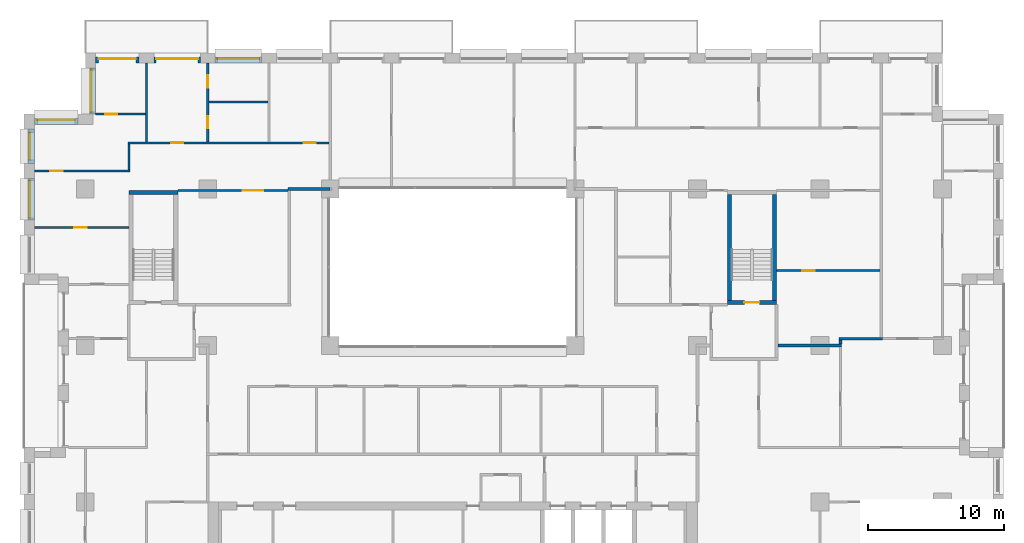
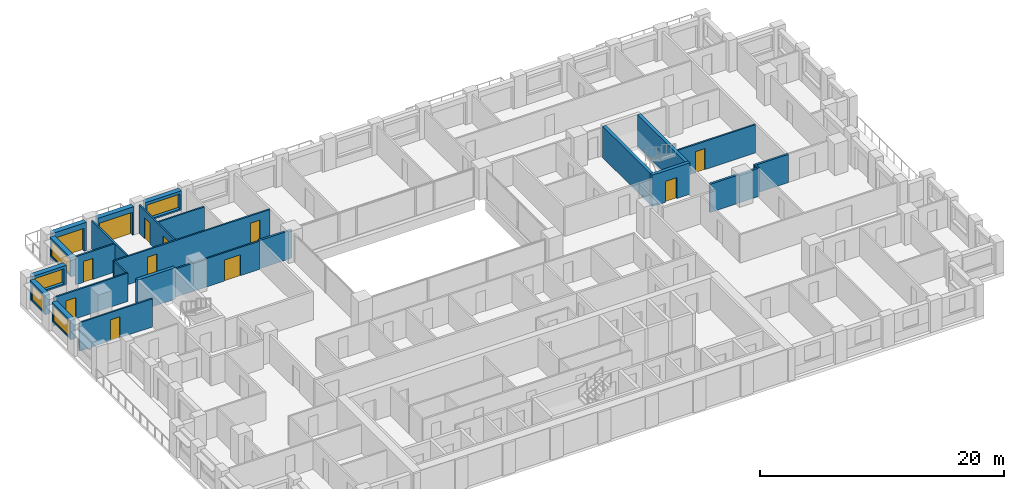
# One storey, part 12 of 17: 25 walls, 12 doors, 5 windows, 17 openings.
"""IFC4 building model written with IfcOpenShell, lengths in metres."""

from ifc_helpers import new_model, si_unit, direction, frame, frame_2d, origin, place, context, subcontext, project, spatial, rectangle, extrude, material, layer, layer_set, type_object, element, fill, save


model = new_model("IFC4")

# Units and contexts
model_context = context("Model", 3, precision=1e-05, world=origin(), true_north=direction((0.0, 1.0)))
body_context = subcontext(model_context, "Body", "Model", "MODEL_VIEW")
ifc_project = project(units=[si_unit("LENGTHUNIT", "METRE"), si_unit("AREAUNIT", "SQUARE_METRE"), si_unit("VOLUMEUNIT", "CUBIC_METRE"), si_unit("PLANEANGLEUNIT", "RADIAN"), si_unit("MASSUNIT", "GRAM", prefix="KILO")], contexts=[model_context])

# Site, building, storey
site_placement = place(None, origin())
site = spatial("IfcSite", under=ifc_project, at=site_placement, CompositionType="ELEMENT")
building_placement = place(site_placement, origin())
building = spatial("IfcBuilding", under=site, at=building_placement, Name="Brigalow Station Residences", CompositionType="ELEMENT")
storey_placement = place(building_placement, frame((0.0, 0.0, 96.14990234375)))
storey = spatial("IfcBuildingStorey", under=building, at=storey_placement, Name="L27", CompositionType="ELEMENT", Elevation=96.14990234375)

# Wall, opening, window
ifc_material_1 = material(Name="Clay brick masonry", Category="masonry")
ifc_layer_1 = layer(ifc_material_1, 0.449951171875)
ifc_layer_set_1 = layer_set([ifc_layer_1], Name="BRICK INFILL WALL 450")
wall_type_1 = type_object("IfcWallType", Name="BRICK INFILL WALL 450", PredefinedType="SOLIDWALL", material=ifc_layer_set_1)
wall_1_placement = place(storey_placement, frame((21.949951171875, 44.97509765625, 0.900146484375), z_axis=(0.0, 0.0, 1.0), x_axis=(-1.0, 0.0, 0.0)))
wall_1 = element("IfcWall", 1, at=wall_1_placement, inside=storey, type_object=wall_type_1, Name="L27/ewall/W-L27-34", PredefinedType="SOLIDWALL", context=body_context, shape_type="SweptSolid", body=[
    extrude(rectangle(XDim=3.39990234375, YDim=0.449951171875, at=frame_2d((1.699951171875, 0.0))), origin(), (0.0, 0.0, 1.0), 1.929931640625),
])
opening_1_placement = place(wall_1_placement, frame((0.14990234375, 0.0, 0.14990234375)))
opening_1 = element("IfcOpeningElement", 2, at=opening_1_placement, cuts=wall_1, Name="Opening WT-8", PredefinedType="OPENING", context=body_context, shape_type="SweptSolid", body=[
    extrude(rectangle(XDim=3.10009765625, YDim=1.5, at=frame_2d((1.550048828125, 0.75))), frame((0.0, 0.23486328125, 0.0), z_axis=(0.0, -1.0, 0.0), x_axis=(1.0, 0.0, 0.0)), (0.0, 0.0, 1.0), 0.469970703125),
])
ifc_material_2 = material(Name="Anodised aluminium frame with double glazing", Category="aluminium")
window_type_1 = type_object("IfcWindowType", Name="WINDOW 3100x1500", PartitioningType="SINGLE_PANEL", PredefinedType="WINDOW", material=ifc_material_2)
window_1_placement = place(opening_1_placement, origin())
window_1 = element("IfcWindow", 3, at=window_1_placement, inside=storey, type_object=window_type_1, Name="L27/window/W-L27-34", OverallHeight=1.5, OverallWidth=3.10009765625, PartitioningType="SINGLE_PANEL", PredefinedType="WINDOW", context=body_context, shape_type="SweptSolid", body=[
    extrude(rectangle(XDim=3.10009765625, YDim=1.5, at=frame_2d((1.550048828125, 0.75))), frame((0.0, -0.06494140625, 0.0), z_axis=(0.0, -1.0, 0.0), x_axis=(1.0, 0.0, 0.0)), (0.0, 0.0, 1.0), 0.06005859375),
])
fill(opening_1, window_1)

# Wall, opening, door
wall_2_placement = place(storey_placement, frame((17.449951171875, 44.97509765625, 0.0), z_axis=(0.0, 0.0, 1.0), x_axis=(-1.0, 0.0, 0.0)))
wall_2 = element("IfcWall", 4, at=wall_2_placement, inside=storey, type_object=wall_type_1, Name="L27/ewall/W-L27-35", PredefinedType="SOLIDWALL", context=body_context, shape_type="SweptSolid", body=[
    extrude(rectangle(XDim=3.39990234375, YDim=0.449951171875, at=frame_2d((1.699951171875, 0.0))), origin(), (0.0, 0.0, 1.0), 2.830078125),
])
opening_2_placement = place(wall_2_placement, frame((0.14990234375, 0.0, 0.0)))
opening_2 = element("IfcOpeningElement", 5, at=opening_2_placement, cuts=wall_2, Name="Opening D-B3100", PredefinedType="OPENING", context=body_context, shape_type="SweptSolid", body=[
    extrude(rectangle(XDim=3.10009765625, YDim=2.300048828125, at=frame_2d((1.550048828125, 1.14990234375))), frame((0.0, 0.23486328125, 0.0), z_axis=(0.0, -1.0, 0.0), x_axis=(1.0, 0.0, 0.0)), (0.0, 0.0, 1.0), 0.469970703125),
])
ifc_material_3 = material(Name="Anodised aluminium frame with double glazing", Category="aluminium")
door_type_1 = type_object("IfcDoorType", Name="BALCONY SLIDING DOOR 3100x2300", OperationType="SLIDING_TO_LEFT", PredefinedType="DOOR", material=ifc_material_3)
door_1_placement = place(opening_2_placement, origin())
door_1 = element("IfcDoor", 6, at=door_1_placement, inside=storey, type_object=door_type_1, Name="L27/balcony-door/W-L27-35", OperationType="SLIDING_TO_LEFT", OverallHeight=2.300048828125, OverallWidth=3.10009765625, PredefinedType="DOOR", context=body_context, shape_type="SweptSolid", body=[
    extrude(rectangle(XDim=3.10009765625, YDim=2.300048828125, at=frame_2d((1.550048828125, 1.14990234375))), frame((0.0, -0.06982421875, 0.0), z_axis=(0.0, -1.0, 0.0), x_axis=(1.0, 0.0, 0.0)), (0.0, 0.0, 1.0), 0.050048828125),
])
fill(opening_2, door_1)

wall_3_placement = place(storey_placement, frame((12.949951171875, 44.97509765625, 0.0), z_axis=(0.0, 0.0, 1.0), x_axis=(-1.0, 0.0, 0.0)))
wall_3 = element("IfcWall", 7, at=wall_3_placement, inside=storey, type_object=wall_type_1, Name="L27/ewall/W-L27-36", PredefinedType="SOLIDWALL", context=body_context, shape_type="SweptSolid", body=[
    extrude(rectangle(XDim=3.199951171875, YDim=0.449951171875, at=frame_2d((1.60009765625, 0.0))), origin(), (0.0, 0.0, 1.0), 2.830078125),
])
opening_3_placement = place(wall_3_placement, frame((0.22509765625, 0.0, 0.0)))
opening_3 = element("IfcOpeningElement", 8, at=opening_3_placement, cuts=wall_3, Name="Opening D-B2750", PredefinedType="OPENING", context=body_context, shape_type="SweptSolid", body=[
    extrude(rectangle(XDim=2.75, YDim=2.300048828125, at=frame_2d((1.375, 1.14990234375))), frame((0.0, 0.23486328125, 0.0), z_axis=(0.0, -1.0, 0.0), x_axis=(1.0, 0.0, 0.0)), (0.0, 0.0, 1.0), 0.469970703125),
])
ifc_material_4 = material(Name="Anodised aluminium frame with double glazing", Category="aluminium")
door_type_2 = type_object("IfcDoorType", Name="BALCONY SLIDING DOOR 2750x2300", OperationType="SLIDING_TO_LEFT", PredefinedType="DOOR", material=ifc_material_4)
door_2_placement = place(opening_3_placement, origin())
door_2 = element("IfcDoor", 9, at=door_2_placement, inside=storey, type_object=door_type_2, Name="L27/balcony-door/W-L27-36", OperationType="SLIDING_TO_LEFT", OverallHeight=2.300048828125, OverallWidth=2.75, PredefinedType="DOOR", context=body_context, shape_type="SweptSolid", body=[
    extrude(rectangle(XDim=2.75, YDim=2.300048828125, at=frame_2d((1.375, 1.14990234375))), frame((0.0, -0.06982421875, 0.0), z_axis=(0.0, -1.0, 0.0), x_axis=(1.0, 0.0, 0.0)), (0.0, 0.0, 1.0), 0.050048828125),
])
fill(opening_3, door_2)

# Wall, opening, window
wall_4_placement = place(storey_placement, frame((9.52490234375, 44.39990234375, 0.900146484375), z_axis=(0.0, 0.0, 1.0), x_axis=(0.0, -1.0, 0.0)))
wall_4 = element("IfcWall", 10, at=wall_4_placement, inside=storey, type_object=wall_type_1, Name="L27/ewall/W-L27-37", PredefinedType="SOLIDWALL", context=body_context, shape_type="SweptSolid", body=[
    extrude(rectangle(XDim=3.39990234375, YDim=0.449951171875, at=frame_2d((1.699951171875, 0.0))), origin(), (0.0, 0.0, 1.0), 1.929931640625),
])
opening_4_placement = place(wall_4_placement, frame((0.14990234375, 0.0, 0.14990234375)))
opening_4 = element("IfcOpeningElement", 11, at=opening_4_placement, cuts=wall_4, Name="Opening WT-8", PredefinedType="OPENING", context=body_context, shape_type="SweptSolid", body=[
    extrude(rectangle(XDim=3.10009765625, YDim=1.5, at=frame_2d((1.550048828125, 0.75))), frame((0.0, 0.23486328125, 0.0), z_axis=(0.0, -1.0, 0.0), x_axis=(1.0, 0.0, 0.0)), (0.0, 0.0, 1.0), 0.469970703125),
])
window_2_placement = place(opening_4_placement, origin())
window_2 = element("IfcWindow", 12, at=window_2_placement, inside=storey, type_object=window_type_1, Name="L27/window/W-L27-37", OverallHeight=1.5, OverallWidth=3.10009765625, PartitioningType="SINGLE_PANEL", PredefinedType="WINDOW", context=body_context, shape_type="SweptSolid", body=[
    extrude(rectangle(XDim=3.10009765625, YDim=1.5, at=frame_2d((1.550048828125, 0.75))), frame((0.0, -0.06494140625, 0.0), z_axis=(0.0, -1.0, 0.0), x_axis=(1.0, 0.0, 0.0)), (0.0, 0.0, 1.0), 0.06005859375),
])
fill(opening_4, window_2)

wall_5_placement = place(storey_placement, frame((8.449951171875, 40.47509765625, 0.900146484375), z_axis=(0.0, 0.0, 1.0), x_axis=(-1.0, 0.0, 0.0)))
wall_5 = element("IfcWall", 13, at=wall_5_placement, inside=storey, type_object=wall_type_1, Name="L27/ewall/W-L27-38", PredefinedType="SOLIDWALL", context=body_context, shape_type="SweptSolid", body=[
    extrude(rectangle(XDim=3.199951171875, YDim=0.449951171875, at=frame_2d((1.60009765625, 0.0))), origin(), (0.0, 0.0, 1.0), 1.929931640625),
])
opening_5_placement = place(wall_5_placement, frame((0.22509765625, 0.0, 0.14990234375)))
opening_5 = element("IfcOpeningElement", 14, at=opening_5_placement, cuts=wall_5, Name="Opening WT-3", PredefinedType="OPENING", context=body_context, shape_type="SweptSolid", body=[
    extrude(rectangle(XDim=2.75, YDim=1.5, at=frame_2d((1.375, 0.75))), frame((0.0, 0.23486328125, 0.0), z_axis=(0.0, -1.0, 0.0), x_axis=(1.0, 0.0, 0.0)), (0.0, 0.0, 1.0), 0.469970703125),
])
ifc_material_5 = material(Name="Anodised aluminium frame with double glazing", Category="aluminium")
window_type_2 = type_object("IfcWindowType", Name="WINDOW 2750x1500", PartitioningType="SINGLE_PANEL", PredefinedType="WINDOW", material=ifc_material_5)
window_3_placement = place(opening_5_placement, origin())
window_3 = element("IfcWindow", 15, at=window_3_placement, inside=storey, type_object=window_type_2, Name="L27/window/W-L27-38", OverallHeight=1.5, OverallWidth=2.75, PartitioningType="SINGLE_PANEL", PredefinedType="WINDOW", context=body_context, shape_type="SweptSolid", body=[
    extrude(rectangle(XDim=2.75, YDim=1.5, at=frame_2d((1.375, 0.75))), frame((0.0, -0.06494140625, 0.0), z_axis=(0.0, -1.0, 0.0), x_axis=(1.0, 0.0, 0.0)), (0.0, 0.0, 1.0), 0.06005859375),
])
fill(opening_5, window_3)

wall_6_placement = place(storey_placement, frame((5.02490234375, 39.89990234375, 0.900146484375), z_axis=(0.0, 0.0, 1.0), x_axis=(0.0, -1.0, 0.0)))
wall_6 = element("IfcWall", 16, at=wall_6_placement, inside=storey, type_object=wall_type_1, Name="L27/ewall/W-L27-39", PredefinedType="SOLIDWALL", context=body_context, shape_type="SweptSolid", body=[
    extrude(rectangle(XDim=2.516845703125, YDim=0.449951171875, at=frame_2d((1.25830078125, 0.0))), origin(), (0.0, 0.0, 1.0), 1.929931640625),
])
opening_6_placement = place(wall_6_placement, frame((0.258544921875, 0.0, 0.14990234375)))
opening_6 = element("IfcOpeningElement", 17, at=opening_6_placement, cuts=wall_6, Name="Opening WT-7", PredefinedType="OPENING", context=body_context, shape_type="SweptSolid", body=[
    extrude(rectangle(XDim=2.0, YDim=1.5, at=frame_2d((1.0, 0.75))), frame((0.0, 0.23486328125, 0.0), z_axis=(0.0, -1.0, 0.0), x_axis=(1.0, 0.0, 0.0)), (0.0, 0.0, 1.0), 0.469970703125),
])
ifc_material_6 = material(Name="Anodised aluminium frame with double glazing", Category="aluminium")
window_type_3 = type_object("IfcWindowType", Name="WINDOW 2000x1500", PartitioningType="SINGLE_PANEL", PredefinedType="WINDOW", material=ifc_material_6)
window_4_placement = place(opening_6_placement, origin())
window_4 = element("IfcWindow", 18, at=window_4_placement, inside=storey, type_object=window_type_3, Name="L27/window/W-L27-39", OverallHeight=1.5, OverallWidth=2.0, PartitioningType="SINGLE_PANEL", PredefinedType="WINDOW", context=body_context, shape_type="SweptSolid", body=[
    extrude(rectangle(XDim=2.0, YDim=1.5, at=frame_2d((1.0, 0.75))), frame((0.0, -0.06494140625, 0.0), z_axis=(0.0, -1.0, 0.0), x_axis=(1.0, 0.0, 0.0)), (0.0, 0.0, 1.0), 0.06005859375),
])
fill(opening_6, window_4)

wall_7_placement = place(storey_placement, frame((5.02490234375, 36.282958984375, 0.900146484375), z_axis=(0.0, 0.0, 1.0), x_axis=(0.0, -1.0, 0.0)))
wall_7 = element("IfcWall", 19, at=wall_7_placement, inside=storey, type_object=wall_type_1, Name="L27/ewall/W-L27-40", PredefinedType="SOLIDWALL", context=body_context, shape_type="SweptSolid", body=[
    extrude(rectangle(XDim=3.06591796875, YDim=0.449951171875, at=frame_2d((1.532958984375, 0.0))), origin(), (0.0, 0.0, 1.0), 1.929931640625),
])
opening_7_placement = place(wall_7_placement, frame((0.157958984375, 0.0, 0.14990234375)))
opening_7 = element("IfcOpeningElement", 20, at=opening_7_placement, cuts=wall_7, Name="Opening WT-3", PredefinedType="OPENING", context=body_context, shape_type="SweptSolid", body=[
    extrude(rectangle(XDim=2.75, YDim=1.5, at=frame_2d((1.375, 0.75))), frame((0.0, 0.23486328125, 0.0), z_axis=(0.0, -1.0, 0.0), x_axis=(1.0, 0.0, 0.0)), (0.0, 0.0, 1.0), 0.469970703125),
])
window_5_placement = place(opening_7_placement, origin())
window_5 = element("IfcWindow", 21, at=window_5_placement, inside=storey, type_object=window_type_2, Name="L27/window/W-L27-40", OverallHeight=1.5, OverallWidth=2.75, PartitioningType="SINGLE_PANEL", PredefinedType="WINDOW", context=body_context, shape_type="SweptSolid", body=[
    extrude(rectangle(XDim=2.75, YDim=1.5, at=frame_2d((1.375, 0.75))), frame((0.0, -0.06494140625, 0.0), z_axis=(0.0, -1.0, 0.0), x_axis=(1.0, 0.0, 0.0)), (0.0, 0.0, 1.0), 0.06005859375),
])
fill(opening_7, window_5)

# Wall
ifc_material_7 = material(Name="Concrete C65", Category="concrete")
ifc_layer_2 = layer(ifc_material_7, 0.300048828125)
ifc_layer_set_2 = layer_set([ifc_layer_2], Name="CORE SHEAR WALL 300 C65")
wall_type_2 = type_object("IfcWallType", Name="CORE SHEAR WALL 300 C65", PredefinedType="SHEAR", material=ifc_layer_set_2)
wall_8_placement = place(storey_placement, frame((12.199951171875, 35.25, 0.0), z_axis=(0.0, 0.0, 1.0), x_axis=(1.0, 0.0, 0.0)))
element("IfcWall", 22, at=wall_8_placement, inside=storey, type_object=wall_type_2, Name="CORE WALL ST-S1-N L27", PredefinedType="SHEAR", context=body_context, shape_type="SweptSolid", body=[
    extrude(rectangle(XDim=3.60009765625, YDim=0.300048828125, at=frame_2d((1.800048828125, 0.0))), origin(), (0.0, 0.0, 1.0), 3.150146484375),
])

# Wall, opening, door
wall_9_placement = place(storey_placement, frame((56.199951171875, 27.14990234375, 0.0), z_axis=(0.0, 0.0, 1.0), x_axis=(1.0, 0.0, 0.0)))
wall_9 = element("IfcWall", 23, at=wall_9_placement, inside=storey, type_object=wall_type_2, Name="CORE WALL ST-S3-S L27", PredefinedType="SHEAR", context=body_context, shape_type="SweptSolid", body=[
    extrude(rectangle(XDim=3.60009765625, YDim=0.300048828125, at=frame_2d((1.800048828125, 0.0))), origin(), (0.0, 0.0, 1.0), 3.150146484375),
])
opening_8_placement = place(wall_9_placement, frame((1.25, 0.0, 0.0)))
opening_8 = element("IfcOpeningElement", 24, at=opening_8_placement, cuts=wall_9, Name="Opening D-5018", PredefinedType="OPENING", context=body_context, shape_type="SweptSolid", body=[
    extrude(rectangle(XDim=1.10009765625, YDim=2.10009765625, at=frame_2d((0.550048828125, 1.050048828125))), frame((0.0, 0.16015625, 0.0), z_axis=(0.0, -1.0, 0.0), x_axis=(1.0, 0.0, 0.0)), (0.0, 0.0, 1.0), 0.320068359375),
])
ifc_material_8 = material(Name="Steel fire door leaf in steel frame", Category="steel")
door_type_3 = type_object("IfcDoorType", Name="STAIR DOOR 1100 x 2100 FD60S", OperationType="SINGLE_SWING_LEFT", PredefinedType="DOOR", material=ifc_material_8)
door_3_placement = place(opening_8_placement, origin())
door_3 = element("IfcDoor", 25, at=door_3_placement, inside=storey, type_object=door_type_3, Name="D-5018", OperationType="SINGLE_SWING_LEFT", OverallHeight=2.10009765625, OverallWidth=1.10009765625, PredefinedType="DOOR", context=body_context, shape_type="SweptSolid", body=[
    extrude(rectangle(XDim=1.10009765625, YDim=2.10009765625, at=frame_2d((0.550048828125, 1.050048828125))), frame((0.0, 0.02490234375, 0.0), z_axis=(0.0, -1.0, 0.0), x_axis=(1.0, 0.0, 0.0)), (0.0, 0.0, 1.0), 0.050048828125),
])
fill(opening_8, door_3)

# Walls
for number, where, z_axis, x_axis, name in (
    (26, (56.35009765625, 27.300048828125, 0.0), (0.0, 0.0, 1.0), (0.0, 1.0, 0.0), "CORE WALL ST-S3-W L27"),
    (27, (59.64990234375, 27.300048828125, 0.0), (0.0, 0.0, 1.0), (0.0, 1.0, 0.0), "CORE WALL ST-S3-E L27"),
):
    element("IfcWall", number, at=place(storey_placement, frame(where, z_axis=z_axis, x_axis=x_axis)), inside=storey, type_object=wall_type_2, Name=name, PredefinedType="SHEAR", context=body_context, shape_type="SweptSolid", body=[
        extrude(rectangle(XDim=7.800048828125, YDim=0.300048828125, at=frame_2d((3.89990234375, 0.0))), origin(), (0.0, 0.0, 1.0), 3.150146484375),
    ])

# Wall, opening, door
ifc_material_9 = material(Name="Plasterboard on steel stud partition", Category="steel")
ifc_layer_3 = layer(ifc_material_9, 0.14990234375)
ifc_layer_set_3 = layer_set([ifc_layer_3], Name="FLAT PARTITION 150")
wall_type_3 = type_object("IfcWallType", Name="FLAT PARTITION 150", PredefinedType="PARTITIONING", material=ifc_layer_set_3)
wall_10_placement = place(storey_placement, frame((5.25, 32.6669921875, 0.0), z_axis=(0.0, 0.0, 1.0), x_axis=(1.0, 0.0, 0.0)))
wall_10 = element("IfcWall", 28, at=wall_10_placement, inside=storey, type_object=wall_type_3, Name="PW-2B23", PredefinedType="PARTITIONING", context=body_context, shape_type="SweptSolid", body=[
    extrude(rectangle(XDim=6.949951171875, YDim=0.14990234375, at=frame_2d((3.47509765625, 0.0))), origin(), (0.0, 0.0, 1.0), 2.830078125),
])
opening_9_placement = place(wall_10_placement, frame((2.949951171875, 0.0, 0.0)))
opening_9 = element("IfcOpeningElement", 29, at=opening_9_placement, cuts=wall_10, Name="Opening D-2B12", PredefinedType="OPENING", context=body_context, shape_type="SweptSolid", body=[
    extrude(rectangle(XDim=0.89990234375, YDim=2.10009765625, at=frame_2d((0.449951171875, 1.050048828125))), frame((0.0, 0.0849609375, 0.0), z_axis=(0.0, -1.0, 0.0), x_axis=(1.0, 0.0, 0.0)), (0.0, 0.0, 1.0), 0.169921875),
])
ifc_material_10 = material(Name="Solid-core timber door leaf", Category="wood")
door_type_4 = type_object("IfcDoorType", Name="INTERNAL DOOR 900 x 2100", OperationType="SINGLE_SWING_LEFT", PredefinedType="DOOR", material=ifc_material_10)
door_4_placement = place(opening_9_placement, frame((0.89990234375, 0.0, 0.0), z_axis=(0.0, 0.0, 1.0), x_axis=(-1.0, 0.0, 0.0)))
door_4 = element("IfcDoor", 30, at=door_4_placement, inside=storey, type_object=door_type_4, Name="D-2B12", OperationType="SINGLE_SWING_RIGHT", OverallHeight=2.10009765625, OverallWidth=0.89990234375, PredefinedType="DOOR", context=body_context, shape_type="SweptSolid", body=[
    extrude(rectangle(XDim=0.89990234375, YDim=2.10009765625, at=frame_2d((0.449951171875, 1.050048828125))), frame((0.0, 0.02490234375, 0.0), z_axis=(0.0, -1.0, 0.0), x_axis=(1.0, 0.0, 0.0)), (0.0, 0.0, 1.0), 0.050048828125),
])
fill(opening_9, door_4)

wall_11_placement = place(storey_placement, frame((5.25, 36.8330078125, 0.0), z_axis=(0.0, 0.0, 1.0), x_axis=(1.0, 0.0, 0.0)))
wall_11 = element("IfcWall", 31, at=wall_11_placement, inside=storey, type_object=wall_type_3, Name="PW-2B24", PredefinedType="PARTITIONING", context=body_context, shape_type="SweptSolid", body=[
    extrude(rectangle(XDim=7.02490234375, YDim=0.14990234375, at=frame_2d((3.512451171875, 0.0))), origin(), (0.0, 0.0, 1.0), 2.830078125),
])
opening_10_placement = place(wall_11_placement, frame((1.175048828125, 0.0, 0.0)))
opening_10 = element("IfcOpeningElement", 32, at=opening_10_placement, cuts=wall_11, Name="Opening D-2B13", PredefinedType="OPENING", context=body_context, shape_type="SweptSolid", body=[
    extrude(rectangle(XDim=0.89990234375, YDim=2.10009765625, at=frame_2d((0.449951171875, 1.050048828125))), frame((0.0, 0.0849609375, 0.0), z_axis=(0.0, -1.0, 0.0), x_axis=(1.0, 0.0, 0.0)), (0.0, 0.0, 1.0), 0.169921875),
])
door_5_placement = place(opening_10_placement, origin())
door_5 = element("IfcDoor", 33, at=door_5_placement, inside=storey, type_object=door_type_4, Name="D-2B13", OperationType="SINGLE_SWING_LEFT", OverallHeight=2.10009765625, OverallWidth=0.89990234375, PredefinedType="DOOR", context=body_context, shape_type="SweptSolid", body=[
    extrude(rectangle(XDim=0.89990234375, YDim=2.10009765625, at=frame_2d((0.449951171875, 1.050048828125))), frame((0.0, 0.02490234375, 0.0), z_axis=(0.0, -1.0, 0.0), x_axis=(1.0, 0.0, 0.0)), (0.0, 0.0, 1.0), 0.050048828125),
])
fill(opening_10, door_5)

# Wall, openings, doors
wall_12_placement = place(storey_placement, frame((12.125, 38.89990234375, 0.0), z_axis=(0.0, 0.0, 1.0), x_axis=(1.0, 0.0, 0.0)))
wall_12 = element("IfcWall", 34, at=wall_12_placement, inside=storey, type_object=wall_type_3, Name="PW-2B26", PredefinedType="PARTITIONING", context=body_context, shape_type="SweptSolid", body=[
    extrude(rectangle(XDim=14.77490234375, YDim=0.14990234375, at=frame_2d((7.387451171875, 0.0))), origin(), (0.0, 0.0, 1.0), 2.830078125),
])
opening_11_placement = place(wall_12_placement, frame((3.175048828125, 0.0, 0.0)))
opening_11 = element("IfcOpeningElement", 35, at=opening_11_placement, cuts=wall_12, Name="Opening D-2B15", PredefinedType="OPENING", context=body_context, shape_type="SweptSolid", body=[
    extrude(rectangle(XDim=0.89990234375, YDim=2.10009765625, at=frame_2d((0.449951171875, 1.050048828125))), frame((0.0, 0.0849609375, 0.0), z_axis=(0.0, -1.0, 0.0), x_axis=(1.0, 0.0, 0.0)), (0.0, 0.0, 1.0), 0.169921875),
])
opening_12_placement = place(wall_12_placement, frame((12.925048828125, 0.0, 0.0)))
opening_12 = element("IfcOpeningElement", 36, at=opening_12_placement, cuts=wall_12, Name="Opening D-2B19", PredefinedType="OPENING", context=body_context, shape_type="SweptSolid", body=[
    extrude(rectangle(XDim=0.89990234375, YDim=2.10009765625, at=frame_2d((0.449951171875, 1.050048828125))), frame((0.0, 0.0849609375, 0.0), z_axis=(0.0, -1.0, 0.0), x_axis=(1.0, 0.0, 0.0)), (0.0, 0.0, 1.0), 0.169921875),
])
door_6_placement = place(opening_11_placement, origin())
door_6 = element("IfcDoor", 37, at=door_6_placement, inside=storey, type_object=door_type_4, Name="D-2B15", OperationType="SINGLE_SWING_RIGHT", OverallHeight=2.10009765625, OverallWidth=0.89990234375, PredefinedType="DOOR", context=body_context, shape_type="SweptSolid", body=[
    extrude(rectangle(XDim=0.89990234375, YDim=2.10009765625, at=frame_2d((0.449951171875, 1.050048828125))), frame((0.0, 0.02490234375, 0.0), z_axis=(0.0, -1.0, 0.0), x_axis=(1.0, 0.0, 0.0)), (0.0, 0.0, 1.0), 0.050048828125),
])
fill(opening_11, door_6)
door_7_placement = place(opening_12_placement, origin())
door_7 = element("IfcDoor", 38, at=door_7_placement, inside=storey, type_object=door_type_4, Name="D-2B19", OperationType="SINGLE_SWING_RIGHT", OverallHeight=2.10009765625, OverallWidth=0.89990234375, PredefinedType="DOOR", context=body_context, shape_type="SweptSolid", body=[
    extrude(rectangle(XDim=0.89990234375, YDim=2.10009765625, at=frame_2d((0.449951171875, 1.050048828125))), frame((0.0, 0.02490234375, 0.0), z_axis=(0.0, -1.0, 0.0), x_axis=(1.0, 0.0, 0.0)), (0.0, 0.0, 1.0), 0.050048828125),
])
fill(opening_12, door_7)

# Wall, opening, door
wall_13_placement = place(storey_placement, frame((15.800048828125, 35.39990234375, 0.0), z_axis=(0.0, 0.0, 1.0), x_axis=(1.0, 0.0, 0.0)))
wall_13 = element("IfcWall", 39, at=wall_13_placement, inside=storey, type_object=wall_type_3, Name="PW-2B27", PredefinedType="PARTITIONING", context=body_context, shape_type="SweptSolid", body=[
    extrude(rectangle(XDim=8.099853515625, YDim=0.14990234375, at=frame_2d((4.0498046875, 0.0))), origin(), (0.0, 0.0, 1.0), 2.830078125),
])
opening_13_placement = place(wall_13_placement, frame((4.77490234375, 0.0, 0.0)))
opening_13 = element("IfcOpeningElement", 40, at=opening_13_placement, cuts=wall_13, Name="Opening D-2B18", PredefinedType="OPENING", context=body_context, shape_type="SweptSolid", body=[
    extrude(rectangle(XDim=1.5, YDim=2.10009765625, at=frame_2d((0.75, 1.050048828125))), frame((0.0, 0.0849609375, 0.0), z_axis=(0.0, -1.0, 0.0), x_axis=(1.0, 0.0, 0.0)), (0.0, 0.0, 1.0), 0.169921875),
])
ifc_material_11 = material(Name="Solid-core timber door leaf", Category="wood")
door_type_5 = type_object("IfcDoorType", Name="INTERNAL DOUBLE DOOR 1500 x 2100", OperationType="DOUBLE_DOOR_SINGLE_SWING", PredefinedType="DOOR", material=ifc_material_11)
door_8_placement = place(opening_13_placement, frame((1.5, 0.0, 0.0), z_axis=(0.0, 0.0, 1.0), x_axis=(-1.0, 0.0, 0.0)))
door_8 = element("IfcDoor", 41, at=door_8_placement, inside=storey, type_object=door_type_5, Name="D-2B18", OperationType="DOUBLE_DOOR_SINGLE_SWING", OverallHeight=2.10009765625, OverallWidth=1.5, PredefinedType="DOOR", context=body_context, shape_type="SweptSolid", body=[
    extrude(rectangle(XDim=1.5, YDim=2.10009765625, at=frame_2d((0.75, 1.050048828125))), frame((0.0, 0.02490234375, 0.0), z_axis=(0.0, -1.0, 0.0), x_axis=(1.0, 0.0, 0.0)), (0.0, 0.0, 1.0), 0.050048828125),
])
fill(opening_13, door_8)

wall_14_placement = place(storey_placement, frame((9.75, 41.0, 0.0), z_axis=(0.0, 0.0, 1.0), x_axis=(1.0, 0.0, 0.0)))
wall_14 = element("IfcWall", 42, at=wall_14_placement, inside=storey, type_object=wall_type_3, Name="PW-2B30", PredefinedType="PARTITIONING", context=body_context, shape_type="SweptSolid", body=[
    extrude(rectangle(XDim=3.675048828125, YDim=0.14990234375, at=frame_2d((1.83740234375, 0.0))), origin(), (0.0, 0.0, 1.0), 2.830078125),
])
opening_14_placement = place(wall_14_placement, frame((0.699951171875, 0.0, 0.0)))
opening_14 = element("IfcOpeningElement", 43, at=opening_14_placement, cuts=wall_14, Name="Opening D-2B14", PredefinedType="OPENING", context=body_context, shape_type="SweptSolid", body=[
    extrude(rectangle(XDim=0.89990234375, YDim=2.10009765625, at=frame_2d((0.449951171875, 1.050048828125))), frame((0.0, 0.0849609375, 0.0), z_axis=(0.0, -1.0, 0.0), x_axis=(1.0, 0.0, 0.0)), (0.0, 0.0, 1.0), 0.169921875),
])
door_9_placement = place(opening_14_placement, origin())
door_9 = element("IfcDoor", 44, at=door_9_placement, inside=storey, type_object=door_type_4, Name="D-2B14", OperationType="SINGLE_SWING_LEFT", OverallHeight=2.10009765625, OverallWidth=0.89990234375, PredefinedType="DOOR", context=body_context, shape_type="SweptSolid", body=[
    extrude(rectangle(XDim=0.89990234375, YDim=2.10009765625, at=frame_2d((0.449951171875, 1.050048828125))), frame((0.0, 0.02490234375, 0.0), z_axis=(0.0, -1.0, 0.0), x_axis=(1.0, 0.0, 0.0)), (0.0, 0.0, 1.0), 0.050048828125),
])
fill(opening_14, door_9)

# Wall
wall_15_placement = place(storey_placement, frame((18.074951171875, 41.89990234375, 0.0), z_axis=(0.0, 0.0, 1.0), x_axis=(1.0, 0.0, 0.0)))
element("IfcWall", 45, at=wall_15_placement, inside=storey, type_object=wall_type_3, Name="PW-2B32", PredefinedType="PARTITIONING", context=body_context, shape_type="SweptSolid", body=[
    extrude(rectangle(XDim=4.35009765625, YDim=0.14990234375, at=frame_2d((2.175048828125, 0.0))), origin(), (0.0, 0.0, 1.0), 2.830078125),
])

# Wall, opening, door
wall_16_placement = place(storey_placement, frame((59.800048828125, 29.5, 0.0), z_axis=(0.0, 0.0, 1.0), x_axis=(1.0, 0.0, 0.0)))
wall_16 = element("IfcWall", 46, at=wall_16_placement, inside=storey, type_object=wall_type_3, Name="PW-2B35", PredefinedType="PARTITIONING", context=body_context, shape_type="SweptSolid", body=[
    extrude(rectangle(XDim=7.599853515625, YDim=0.14990234375, at=frame_2d((3.7998046875, 0.0))), origin(), (0.0, 0.0, 1.0), 2.830078125),
])
opening_15_placement = place(wall_16_placement, frame((1.89990234375, 0.0, 0.0)))
opening_15 = element("IfcOpeningElement", 47, at=opening_15_placement, cuts=wall_16, Name="Opening D-2B32", PredefinedType="OPENING", context=body_context, shape_type="SweptSolid", body=[
    extrude(rectangle(XDim=0.89990234375, YDim=2.10009765625, at=frame_2d((0.449951171875, 1.050048828125))), frame((0.0, 0.0849609375, 0.0), z_axis=(0.0, -1.0, 0.0), x_axis=(1.0, 0.0, 0.0)), (0.0, 0.0, 1.0), 0.169921875),
])
door_10_placement = place(opening_15_placement, frame((0.89990234375, 0.0, 0.0), z_axis=(0.0, 0.0, 1.0), x_axis=(-1.0, 0.0, 0.0)))
door_10 = element("IfcDoor", 48, at=door_10_placement, inside=storey, type_object=door_type_4, Name="D-2B32", OperationType="SINGLE_SWING_RIGHT", OverallHeight=2.10009765625, OverallWidth=0.89990234375, PredefinedType="DOOR", context=body_context, shape_type="SweptSolid", body=[
    extrude(rectangle(XDim=0.89990234375, YDim=2.10009765625, at=frame_2d((0.449951171875, 1.050048828125))), frame((0.0, 0.02490234375, 0.0), z_axis=(0.0, -1.0, 0.0), x_axis=(1.0, 0.0, 0.0)), (0.0, 0.0, 1.0), 0.050048828125),
])
fill(opening_15, door_10)

# Wall, openings, doors
wall_17_placement = place(storey_placement, frame((18.0, 38.97509765625, 0.0), z_axis=(0.0, 0.0, 1.0), x_axis=(0.0, 1.0, 0.0)))
wall_17 = element("IfcWall", 49, at=wall_17_placement, inside=storey, type_object=wall_type_3, Name="PW-2B38", PredefinedType="PARTITIONING", context=body_context, shape_type="SweptSolid", body=[
    extrude(rectangle(XDim=5.77490234375, YDim=0.14990234375, at=frame_2d((2.887451171875, 0.0))), origin(), (0.0, 0.0, 1.0), 2.830078125),
])
opening_16_placement = place(wall_17_placement, frame((0.97509765625, 0.0, 0.0)))
opening_16 = element("IfcOpeningElement", 50, at=opening_16_placement, cuts=wall_17, Name="Opening D-2B16", PredefinedType="OPENING", context=body_context, shape_type="SweptSolid", body=[
    extrude(rectangle(XDim=0.89990234375, YDim=2.10009765625, at=frame_2d((0.449951171875, 1.050048828125))), frame((0.0, 0.0849609375, 0.0), z_axis=(0.0, -1.0, 0.0), x_axis=(1.0, 0.0, 0.0)), (0.0, 0.0, 1.0), 0.169921875),
])
opening_17_placement = place(wall_17_placement, frame((3.97509765625, 0.0, 0.0)))
opening_17 = element("IfcOpeningElement", 51, at=opening_17_placement, cuts=wall_17, Name="Opening D-2B17", PredefinedType="OPENING", context=body_context, shape_type="SweptSolid", body=[
    extrude(rectangle(XDim=0.89990234375, YDim=2.10009765625, at=frame_2d((0.449951171875, 1.050048828125))), frame((0.0, 0.0849609375, 0.0), z_axis=(0.0, -1.0, 0.0), x_axis=(1.0, 0.0, 0.0)), (0.0, 0.0, 1.0), 0.169921875),
])
door_11_placement = place(opening_16_placement, frame((0.89990234375, 0.0, 0.0), z_axis=(0.0, 0.0, 1.0), x_axis=(-1.0, 0.0, 0.0)))
door_11 = element("IfcDoor", 52, at=door_11_placement, inside=storey, type_object=door_type_4, Name="D-2B16", OperationType="SINGLE_SWING_RIGHT", OverallHeight=2.10009765625, OverallWidth=0.89990234375, PredefinedType="DOOR", context=body_context, shape_type="SweptSolid", body=[
    extrude(rectangle(XDim=0.89990234375, YDim=2.10009765625, at=frame_2d((0.449951171875, 1.050048828125))), frame((0.0, 0.02490234375, 0.0), z_axis=(0.0, -1.0, 0.0), x_axis=(1.0, 0.0, 0.0)), (0.0, 0.0, 1.0), 0.050048828125),
])
fill(opening_16, door_11)
door_12_placement = place(opening_17_placement, frame((0.89990234375, 0.0, 0.0), z_axis=(0.0, 0.0, 1.0), x_axis=(-1.0, 0.0, 0.0)))
door_12 = element("IfcDoor", 53, at=door_12_placement, inside=storey, type_object=door_type_4, Name="D-2B17", OperationType="SINGLE_SWING_LEFT", OverallHeight=2.10009765625, OverallWidth=0.89990234375, PredefinedType="DOOR", context=body_context, shape_type="SweptSolid", body=[
    extrude(rectangle(XDim=0.89990234375, YDim=2.10009765625, at=frame_2d((0.449951171875, 1.050048828125))), frame((0.0, 0.02490234375, 0.0), z_axis=(0.0, -1.0, 0.0), x_axis=(1.0, 0.0, 0.0)), (0.0, 0.0, 1.0), 0.050048828125),
])
fill(opening_17, door_12)

# Walls
wall_18_placement = place(storey_placement, frame((13.5, 38.97509765625, 0.0), z_axis=(0.0, 0.0, 1.0), x_axis=(0.0, 1.0, 0.0)))
element("IfcWall", 54, at=wall_18_placement, inside=storey, type_object=wall_type_3, Name="PW-2B48", PredefinedType="PARTITIONING", context=body_context, shape_type="SweptSolid", body=[
    extrude(rectangle(XDim=5.77490234375, YDim=0.14990234375, at=frame_2d((2.887451171875, 0.0))), origin(), (0.0, 0.0, 1.0), 2.830078125),
])
wall_19_placement = place(storey_placement, frame((12.199951171875, 36.907958984375, 0.0), z_axis=(0.0, 0.0, 1.0), x_axis=(0.0, 1.0, 0.0)))
element("IfcWall", 55, at=wall_19_placement, inside=storey, type_object=wall_type_3, Name="PW-2B50", PredefinedType="PARTITIONING", context=body_context, shape_type="SweptSolid", body=[
    extrude(rectangle(XDim=1.9169921875, YDim=0.14990234375, at=frame_2d((0.95849609375, 0.0))), origin(), (0.0, 0.0, 1.0), 2.830078125),
])
ifc_material_12 = material(Name="Plasterboard on steel stud partition", Category="steel")
ifc_layer_4 = layer(ifc_material_12, 0.199951171875)
ifc_layer_set_4 = layer_set([ifc_layer_4], Name="PARTY AND CORRIDOR WALL 200")
wall_type_4 = type_object("IfcWallType", Name="PARTY AND CORRIDOR WALL 200", PredefinedType="PARTITIONING", material=ifc_layer_set_4)
wall_20_placement = place(storey_placement, frame((59.89990234375, 24.0, 0.0), z_axis=(0.0, 0.0, 1.0), x_axis=(1.0, 0.0, 0.0)))
element("IfcWall", 56, at=wall_20_placement, inside=storey, type_object=wall_type_4, Name="PW-2B04", PredefinedType="PARTITIONING", context=body_context, shape_type="SweptSolid", body=[
    extrude(rectangle(XDim=4.675048828125, YDim=0.199951171875, at=frame_2d((2.33740234375, 0.0))), origin(), (0.0, 0.0, 1.0), 2.830078125),
])
wall_21_placement = place(storey_placement, frame((23.89990234375, 35.5, 0.0), z_axis=(0.0, 0.0, 1.0), x_axis=(1.0, 0.0, 0.0)))
element("IfcWall", 57, at=wall_21_placement, inside=storey, type_object=wall_type_4, Name="PW-2B07", PredefinedType="PARTITIONING", context=body_context, shape_type="SweptSolid", body=[
    extrude(rectangle(XDim=3.10009765625, YDim=0.199951171875, at=frame_2d((1.550048828125, 0.0))), origin(), (0.0, 0.0, 1.0), 2.830078125),
])
wall_22_placement = place(storey_placement, frame((64.39990234375, 24.5, 0.0), z_axis=(0.0, 0.0, 1.0), x_axis=(1.0, 0.0, 0.0)))
element("IfcWall", 58, at=wall_22_placement, inside=storey, type_object=wall_type_4, Name="PW-2B20", PredefinedType="PARTITIONING", context=body_context, shape_type="SweptSolid", body=[
    extrude(rectangle(XDim=3.2001953125, YDim=0.199951171875, at=frame_2d((1.60009765625, 0.0))), origin(), (0.0, 0.0, 1.0), 2.830078125),
])
wall_23_placement = place(storey_placement, frame((64.5, 24.10009765625, 0.0), z_axis=(0.0, 0.0, 1.0), x_axis=(0.0, 1.0, 0.0)))
element("IfcWall", 59, at=wall_23_placement, inside=storey, type_object=wall_type_4, Name="PW-2B66", PredefinedType="PARTITIONING", context=body_context, shape_type="SweptSolid", body=[
    extrude(rectangle(XDim=0.2998046875, YDim=0.199951171875, at=frame_2d((0.14990234375, 0.0))), origin(), (0.0, 0.0, 1.0), 2.830078125),
])

save(model, "model.ifc")
